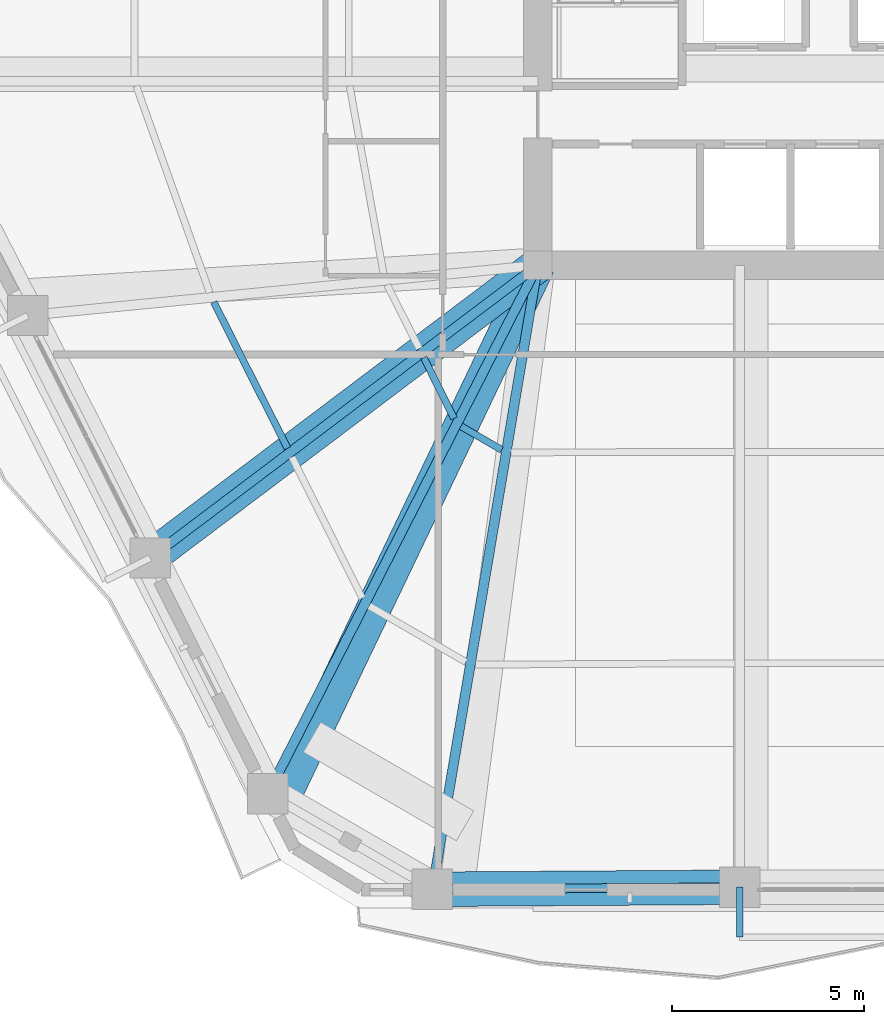
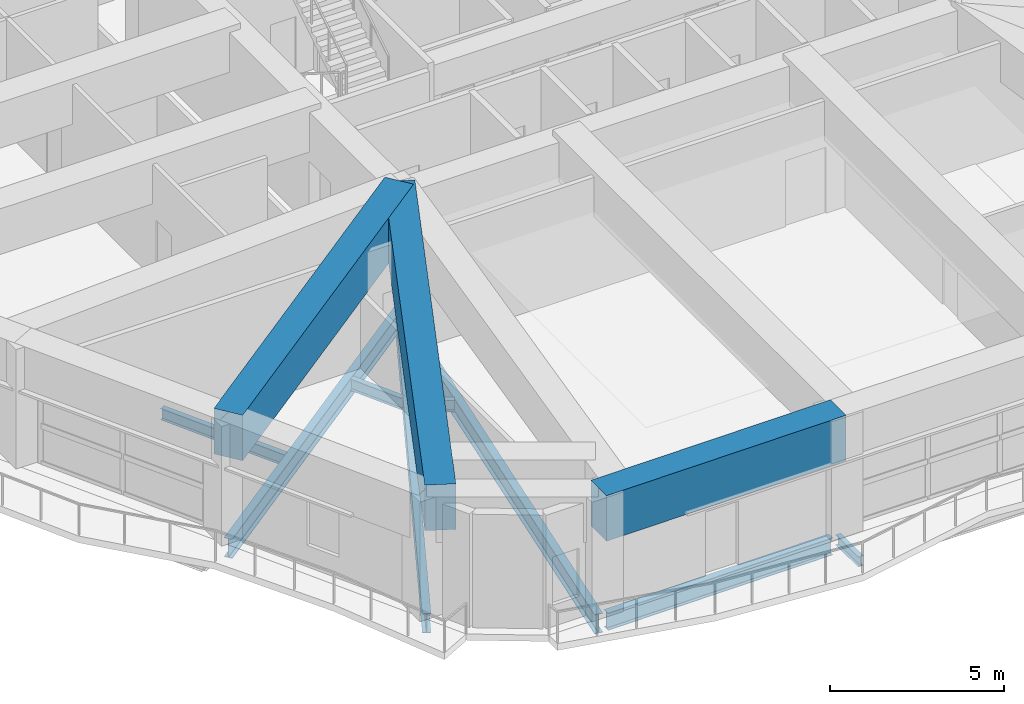
# One storey, part 3 of 23: 11 beams.
"""IFC4 building model written with IfcOpenShell, lengths in metres."""

from ifc_helpers import new_model, si_unit, direction, frame, origin, origin_2d, place, context, subcontext, project, spatial, rectangle, i_section, extrude, material, material_profile, profile_set, type_object, element, save


model = new_model("IFC4")

# Units and contexts
model_context = context("Model", 3, precision=1e-05, world=origin(), true_north=direction((0.0, 1.0)))
body_context = subcontext(model_context, "Body", "Model", "MODEL_VIEW")
ifc_project = project(units=[si_unit("LENGTHUNIT", "METRE"), si_unit("AREAUNIT", "SQUARE_METRE"), si_unit("VOLUMEUNIT", "CUBIC_METRE"), si_unit("PLANEANGLEUNIT", "RADIAN"), si_unit("MASSUNIT", "GRAM", prefix="KILO")], contexts=[model_context])

# Site, building, storey
site_placement = place(None, origin())
site = spatial("IfcSite", under=ifc_project, at=site_placement, CompositionType="ELEMENT")
building_placement = place(site_placement, origin())
building = spatial("IfcBuilding", under=site, at=building_placement, Name="Cinnabar Lancet Tower", CompositionType="ELEMENT")
storey_placement = place(building_placement, frame((0.0, 0.0, 94.199951171875)))
storey = spatial("IfcBuildingStorey", under=building, at=storey_placement, Name="L24", CompositionType="ELEMENT", Elevation=94.199951171875)

# Beams
ifc_material_1 = material(Name="Concrete C70/85", Category="concrete")
ifc_material_profile_1 = material_profile(ifc_material_1, rectangle(XDim=0.89990234375, YDim=1.60009765625, at=origin_2d()), Name="RC-BG 900x1600")
ifc_profile_set_1 = profile_set([ifc_material_profile_1], Name="Concrete C70/85")
beam_type_1 = type_object("IfcBeamType", Name="STR-BM-BG-1600", PredefinedType="BEAM", material=ifc_profile_set_1)
beam_1_placement = place(storey_placement, frame((20.282958984375, 2.2890625, 3.400146484375), z_axis=(0.999978046407, 0.006626213389, 0.0), x_axis=(-0.006626213389, 0.999978046407, 0.0)))
element("IfcBeam", 1, at=beam_1_placement, inside=storey, type_object=beam_type_1, Name="L25 Setback Outer Ring Girder 1", PredefinedType="BEAM", context=body_context, shape_type="SweptSolid", body=[
    extrude(rectangle(XDim=0.89990234375, YDim=1.60009765625, at=origin_2d()), origin(), (0.0, 0.0, 1.0), 7.995361328125),
])
beam_2_placement = place(storey_placement, frame((12.9580078125, 10.93505859375, 3.400146484375), z_axis=(0.79848701281, 0.602012035074, 0.0), x_axis=(-0.602012035074, 0.79848701281, 0.0)))
element("IfcBeam", 2, at=beam_2_placement, inside=storey, type_object=beam_type_1, Name="L25 Setback Continuous Radial Transfer Girder 23", PredefinedType="BEAM", context=body_context, shape_type="SweptSolid", body=[
    extrude(rectangle(XDim=0.89990234375, YDim=1.60009765625, at=origin_2d()), origin(), (0.0, 0.0, 1.0), 12.607421875),
])
beam_3_placement = place(storey_placement, frame((16.422119140625, 4.721923828125, 3.400146484375), z_axis=(0.431527763948, 0.902099655771, 0.0), x_axis=(-0.902099655771, 0.431527763948, 0.0)))
element("IfcBeam", 3, at=beam_3_placement, inside=storey, type_object=beam_type_1, Name="L25 Setback Continuous Radial Transfer Girder 24", PredefinedType="BEAM", context=body_context, shape_type="SweptSolid", body=[
    extrude(rectangle(XDim=0.89990234375, YDim=1.60009765625, at=origin_2d()), origin(), (0.0, 0.0, 1.0), 15.301025390625),
])
ifc_material_2 = material(Name="Structural steel S355", Category="steel")
ifc_material_profile_2 = material_profile(ifc_material_2, i_section(OverallWidth=0.177978515625, OverallDepth=0.406494140625, WebThickness=0.0078125, FlangeThickness=0.0126953125, FilletRadius=0.01025390625, at=origin_2d()), Name="UKB 406x178x60")
ifc_profile_set_2 = profile_set([ifc_material_profile_2], Name="Structural steel S355")
beam_type_2 = type_object("IfcBeamType", Name="STR-BM-JST-406", PredefinedType="JOIST", material=ifc_profile_set_2)
beam_4_placement = place(storey_placement, frame((14.593017578125, 17.568115234375, -0.4228515625), z_axis=(0.450763900798, -0.892643213012, 0.0), x_axis=(0.892643213012, 0.450763900798, 0.0)))
element("IfcBeam", 4, at=beam_4_placement, inside=storey, type_object=beam_type_2, Name="L24 Secondary Floor Joist 3", PredefinedType="JOIST", context=body_context, shape_type="SweptSolid", body=[
    extrude(i_section(OverallWidth=0.177978515625, OverallDepth=0.406494140625, WebThickness=0.0078125, FlangeThickness=0.0126953125, FilletRadius=0.01025390625, at=origin_2d()), origin(), (0.0, 0.0, 1.0), 4.25927734375),
])
beam_5_placement = place(storey_placement, frame((20.056884765625, 16.125, -0.4228515625), z_axis=(0.445888683384, -0.895088421347, 0.0), x_axis=(0.895088421347, 0.445888683384, 0.0)))
element("IfcBeam", 5, at=beam_5_placement, inside=storey, type_object=beam_type_2, Name="L24 Secondary Floor Joist 6", PredefinedType="JOIST", context=body_context, shape_type="SweptSolid", body=[
    extrude(i_section(OverallWidth=0.177978515625, OverallDepth=0.406494140625, WebThickness=0.0078125, FlangeThickness=0.0126953125, FilletRadius=0.01025390625, at=origin_2d()), origin(), (0.0, 0.0, 1.0), 1.76953125),
])
beam_6_placement = place(storey_placement, frame((21.027099609375, 14.3359375, -0.4228515625), z_axis=(0.864870018283, -0.501995867986, 0.0), x_axis=(0.501995867986, 0.864870018283, 0.0)))
element("IfcBeam", 6, at=beam_6_placement, inside=storey, type_object=beam_type_2, Name="L24 Secondary Floor Joist 8", PredefinedType="JOIST", context=body_context, shape_type="SweptSolid", body=[
    extrude(i_section(OverallWidth=0.177978515625, OverallDepth=0.406494140625, WebThickness=0.0078125, FlangeThickness=0.0126953125, FilletRadius=0.01025390625, at=origin_2d()), origin(), (0.0, 0.0, 1.0), 1.22314453125),
])
ifc_material_3 = material(Name="Structural steel S355", Category="steel")
ifc_material_profile_3 = material_profile(ifc_material_3, i_section(OverallWidth=0.228271484375, OverallDepth=0.607666015625, WebThickness=0.010986328125, FlangeThickness=0.017333984375, FilletRadius=0.0126953125, at=origin_2d()), Name="UKB 610x229x113")
ifc_profile_set_3 = profile_set([ifc_material_profile_3], Name="Structural steel S355")
beam_type_3 = type_object("IfcBeamType", Name="STR-BM-SPN-610", PredefinedType="SPANDREL", material=ifc_profile_set_3)
beam_7_placement = place(storey_placement, frame((20.532958984375, 2.291015625, -0.52392578125), z_axis=(0.99997856757, 0.006547090947, 0.0), x_axis=(-0.006547090947, 0.99997856757, 0.0)))
element("IfcBeam", 7, at=beam_7_placement, inside=storey, type_object=beam_type_3, Name="L24 Perimeter Spandrel 1", PredefinedType="SPANDREL", context=body_context, shape_type="SweptSolid", body=[
    extrude(i_section(OverallWidth=0.228271484375, OverallDepth=0.607666015625, WebThickness=0.010986328125, FlangeThickness=0.017333984375, FilletRadius=0.0126953125, at=origin_2d()), origin(), (0.0, 0.0, 1.0), 7.495361328125),
])
ifc_material_4 = material(Name="Structural steel S355", Category="steel")
ifc_material_profile_4 = material_profile(ifc_material_4, i_section(OverallWidth=0.253662109375, OverallDepth=0.68359375, WebThickness=0.012451171875, FlangeThickness=0.01904296875, FilletRadius=0.01513671875, at=origin_2d()), Name="UKB 686x254x140")
ifc_profile_set_4 = profile_set([ifc_material_profile_4], Name="Structural steel S355")
beam_type_4 = type_object("IfcBeamType", Name="STR-BM-UKB686-140", PredefinedType="BEAM", material=ifc_profile_set_4)
beam_8_placement = place(storey_placement, frame((12.94091796875, 10.908935546875, -0.56201171875), z_axis=(0.797983154837, 0.602679752933, 0.0), x_axis=(-0.602679752933, 0.797983154837, 0.0)))
element("IfcBeam", 8, at=beam_8_placement, inside=storey, type_object=beam_type_4, Name="L24 Corner Collector Girder 1", PredefinedType="BEAM", context=body_context, shape_type="SweptSolid", body=[
    extrude(i_section(OverallWidth=0.253662109375, OverallDepth=0.68359375, WebThickness=0.012451171875, FlangeThickness=0.01904296875, FilletRadius=0.01513671875, at=origin_2d()), origin(), (0.0, 0.0, 1.0), 12.63671875),
])
beam_9_placement = place(storey_placement, frame((20.282958984375, 2.2890625, -0.56201171875), z_axis=(0.166524102484, 0.986037384328, 0.0), x_axis=(-0.986037384328, 0.166524102484, 0.0)))
element("IfcBeam", 9, at=beam_9_placement, inside=storey, type_object=beam_type_4, Name="L24 Primary Floor Girder 1", PredefinedType="BEAM", context=body_context, shape_type="SweptSolid", body=[
    extrude(i_section(OverallWidth=0.253662109375, OverallDepth=0.68359375, WebThickness=0.012451171875, FlangeThickness=0.01904296875, FilletRadius=0.01513671875, at=origin_2d()), origin(), (0.0, 0.0, 1.0), 16.4658203125),
])
beam_10_placement = place(storey_placement, frame((15.9970703125, 4.77294921875, -0.56201171875), z_axis=(0.455062593839, 0.890459452018, 0.0), x_axis=(-0.890459452018, 0.455062593839, 0.0)))
element("IfcBeam", 10, at=beam_10_placement, inside=storey, type_object=beam_type_4, Name="L24 Primary Floor Girder 24", PredefinedType="BEAM", context=body_context, shape_type="SweptSolid", body=[
    extrude(i_section(OverallWidth=0.253662109375, OverallDepth=0.68359375, WebThickness=0.012451171875, FlangeThickness=0.01904296875, FilletRadius=0.01513671875, at=origin_2d()), origin(), (0.0, 0.0, 1.0), 15.443603515625),
])
ifc_material_5 = material(Name="Structural steel S355", Category="steel")
ifc_material_profile_5 = material_profile(ifc_material_5, i_section(OverallWidth=0.17138671875, OverallDepth=0.35498046875, WebThickness=0.00732421875, FlangeThickness=0.011474609375, FilletRadius=0.01025390625, at=origin_2d()), Name="UKB 356x171x51")
ifc_profile_set_5 = profile_set([ifc_material_profile_5], Name="Structural steel S355")
beam_type_5 = type_object("IfcBeamType", Name="STR-BM-WAV-OUT", PredefinedType="BEAM", material=ifc_profile_set_5)
beam_11_placement = place(storey_placement, frame((28.278076171875, 2.342041015625, -0.41796875), z_axis=(0.0, -1.0, 0.0), x_axis=(1.0, 0.0, 0.0)))
element("IfcBeam", 11, at=beam_11_placement, inside=storey, type_object=beam_type_5, Name="L24 Face 1 Balcony Outlooker A", PredefinedType="BEAM", context=body_context, shape_type="SweptSolid", body=[
    extrude(i_section(OverallWidth=0.17138671875, OverallDepth=0.35498046875, WebThickness=0.00732421875, FlangeThickness=0.011474609375, FilletRadius=0.01025390625, at=origin_2d()), origin(), (0.0, 0.0, 1.0), 1.300048828125),
])

save(model, "model.ifc")
